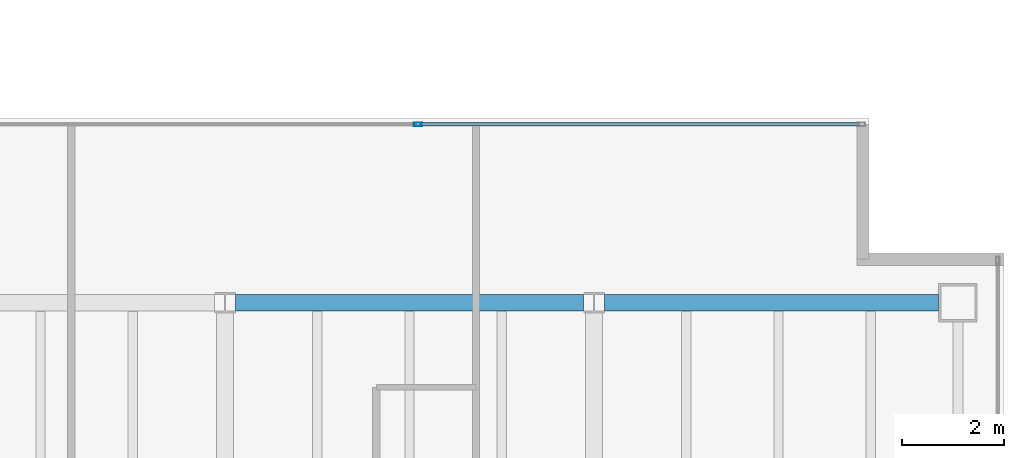
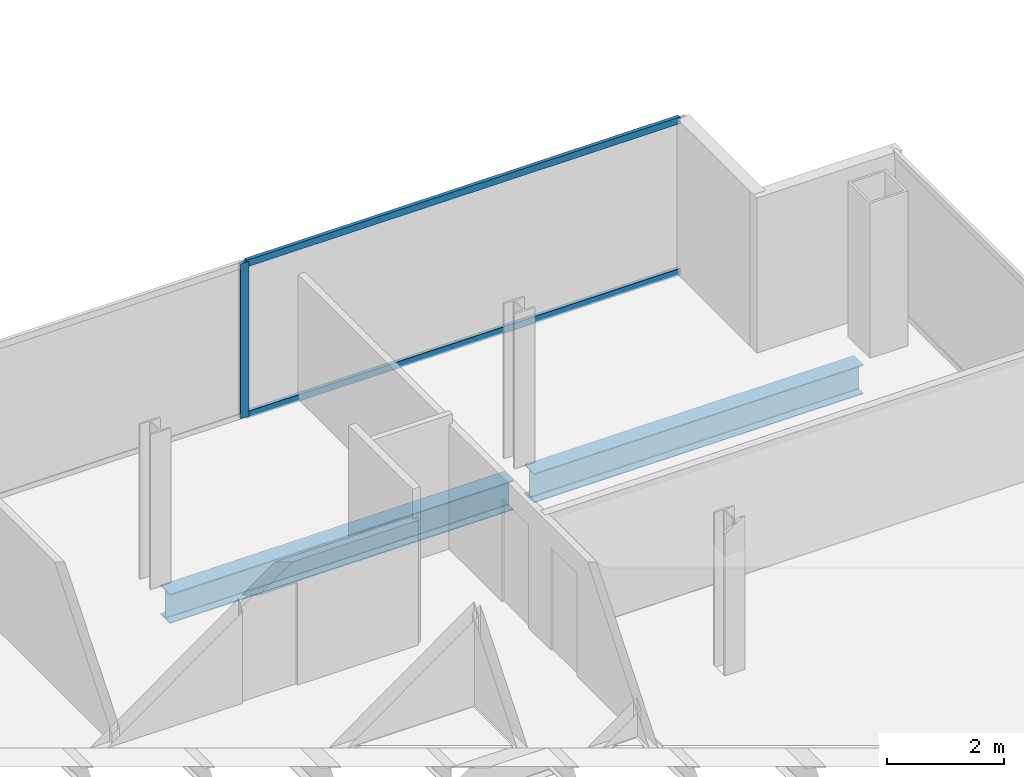
# One storey, part 15 of 23: 3 members, 2 beams, 1 element without a shape of its own.
"""IFC4 building model written with IfcOpenShell, lengths in metres."""

from ifc_helpers import new_model, si_unit, direction, frame, origin, origin_2d, place, context, subcontext, project, spatial, hollow_rectangle, i_section, extrude, material, material_profile, profile_set, type_object, element, aggregate, save


model = new_model("IFC4")

# Units and contexts
model_context = context("Model", 3, precision=1e-05, world=origin(), true_north=direction((0.0, 1.0)))
body_context = subcontext(model_context, "Body", "Model", "MODEL_VIEW")
ifc_project = project(units=[si_unit("LENGTHUNIT", "METRE"), si_unit("AREAUNIT", "SQUARE_METRE"), si_unit("VOLUMEUNIT", "CUBIC_METRE"), si_unit("PLANEANGLEUNIT", "RADIAN"), si_unit("MASSUNIT", "GRAM", prefix="KILO")], contexts=[model_context])

# Site, building, storey
site_placement = place(None, origin())
site = spatial("IfcSite", under=ifc_project, at=site_placement, CompositionType="ELEMENT")
building_placement = place(site_placement, origin())
building = spatial("IfcBuilding", under=site, at=building_placement, Name="Cobrela Telecom Tower", CompositionType="ELEMENT")
storey_placement = place(building_placement, frame((0.0, 0.0, 208.25)))
storey = spatial("IfcBuildingStorey", under=building, at=storey_placement, Name="L53", CompositionType="ELEMENT", Elevation=208.25)

# Beams
ifc_material_1 = material(Name="Steel ASTM A992 Grade 50", Category="steel")
ifc_material_profile_1 = material_profile(ifc_material_1, i_section(OverallWidth=0.324951171875, OverallDepth=0.612060546875, WebThickness=0.0126953125, FlangeThickness=0.01904296875, FilletRadius=0.014892578125, at=origin_2d()), Name="W24X104")
ifc_profile_set_1 = profile_set([ifc_material_profile_1], Name="Steel ASTM A992 Grade 50")
beam_type = type_object("IfcBeamType", Name="BM-GIRD-07", PredefinedType="USERDEFINED", material=ifc_profile_set_1)
beam_1_placement = place(storey_placement, frame((29.00439453125, 21.60009765625, -0.56591796875), z_axis=(1.0, 0.0, 0.0), x_axis=(0.0, 1.0, 0.0)))
element("IfcBeam", 1, at=beam_1_placement, inside=storey, type_object=beam_type, Name="L53 Primary Girder X17", ObjectType="GIRDER", PredefinedType="USERDEFINED", context=body_context, shape_type="SweptSolid", body=[
    extrude(i_section(OverallWidth=0.324951171875, OverallDepth=0.612060546875, WebThickness=0.0126953125, FlangeThickness=0.01904296875, FilletRadius=0.014892578125, at=origin_2d()), origin(), (0.0, 0.0, 1.0), 6.791015625),
])
beam_2_placement = place(storey_placement, frame((36.20458984375, 21.60009765625, -0.56591796875), z_axis=(1.0, 0.0, 0.0), x_axis=(0.0, 1.0, 0.0)))
element("IfcBeam", 2, at=beam_2_placement, inside=storey, type_object=beam_type, Name="L53 Primary Girder X18", ObjectType="GIRDER", PredefinedType="USERDEFINED", context=body_context, shape_type="SweptSolid", body=[
    extrude(i_section(OverallWidth=0.324951171875, OverallDepth=0.612060546875, WebThickness=0.0126953125, FlangeThickness=0.01904296875, FilletRadius=0.014892578125, at=origin_2d()), origin(), (0.0, 0.0, 1.0), 6.515380859375),
])

# Curtain wall, members
ifc_material_2 = material(Name="Anodized Bronze Aluminium 6063-T6", Category="aluminium")
curtain_wall_type = type_object("IfcCurtainWallType", Name="CW-SYS-OFF-LO", PredefinedType="USERDEFINED", material=ifc_material_2)
curtain_wall_placement = place(storey_placement, origin())
curtain_wall = element("IfcCurtainWall", 3, at=curtain_wall_placement, inside=storey, type_object=curtain_wall_type, Name="L53 Unitised Bronze Curtain Wall 11", ObjectType="UNITISED CURTAIN WALL", PredefinedType="USERDEFINED")
ifc_material_profile_2 = material_profile(ifc_material_2, hollow_rectangle(XDim=0.070068359375, YDim=0.159912109375, WallThickness=0.00390625, at=origin_2d()), Name="ALU 70x160x4")
ifc_profile_set_2 = profile_set([ifc_material_profile_2], Name="Anodized Bronze Aluminium 6063-T6")
member_type_1 = type_object("IfcMemberType", Name="CW-SYS-OFF-LO-MUL", PredefinedType="MULLION", material=ifc_profile_set_2)
member_1_placement = place(storey_placement, frame((32.56494140625, 25.080078125, 0.0), z_axis=(0.0, 0.0, 1.0), x_axis=(0.0, 1.0, 0.0)))
member_1 = element("IfcMember", 4, at=member_1_placement, type_object=member_type_1, Name="CW-OFF-LO mullion 2", PredefinedType="MULLION", context=body_context, shape_type="SweptSolid", body=[
    extrude(hollow_rectangle(XDim=0.070068359375, YDim=0.159912109375, WallThickness=0.00390625, at=origin_2d()), origin(), (0.0, 0.0, 1.0), 3.239990234375),
])
ifc_material_profile_3 = material_profile(ifc_material_2, hollow_rectangle(XDim=0.070068359375, YDim=0.139892578125, WallThickness=0.00390625, at=origin_2d()), Name="ALU 70x140x4")
ifc_profile_set_3 = profile_set([ifc_material_profile_3], Name="Anodized Bronze Aluminium 6063-T6")
member_type_2 = type_object("IfcMemberType", Name="CW-SYS-OFF-LO-TRN", PredefinedType="USERDEFINED", material=ifc_profile_set_3)
member_2_placement = place(storey_placement, frame((32.60009765625, 25.080078125, 0.034912109375), z_axis=(1.0, 0.0, 0.0), x_axis=(0.0, 1.0, 0.0)))
member_2 = element("IfcMember", 5, at=member_2_placement, type_object=member_type_2, Name="CW-OFF-LO transom 2.1", ObjectType="TRANSOM", PredefinedType="USERDEFINED", context=body_context, shape_type="SweptSolid", body=[
    extrude(hollow_rectangle(XDim=0.070068359375, YDim=0.139892578125, WallThickness=0.00390625, at=origin_2d()), origin(), (0.0, 0.0, 1.0), 8.579833984375),
])
member_3_placement = place(storey_placement, frame((32.60009765625, 25.080078125, 3.205078125), z_axis=(1.0, 0.0, 0.0), x_axis=(0.0, 1.0, 0.0)))
member_3 = element("IfcMember", 6, at=member_3_placement, type_object=member_type_2, Name="CW-OFF-LO transom 2.2", ObjectType="TRANSOM", PredefinedType="USERDEFINED", context=body_context, shape_type="SweptSolid", body=[
    extrude(hollow_rectangle(XDim=0.070068359375, YDim=0.139892578125, WallThickness=0.00390625, at=origin_2d()), origin(), (0.0, 0.0, 1.0), 8.579833984375),
])
aggregate(curtain_wall, [member_1, member_2, member_3])

save(model, "model.ifc")
